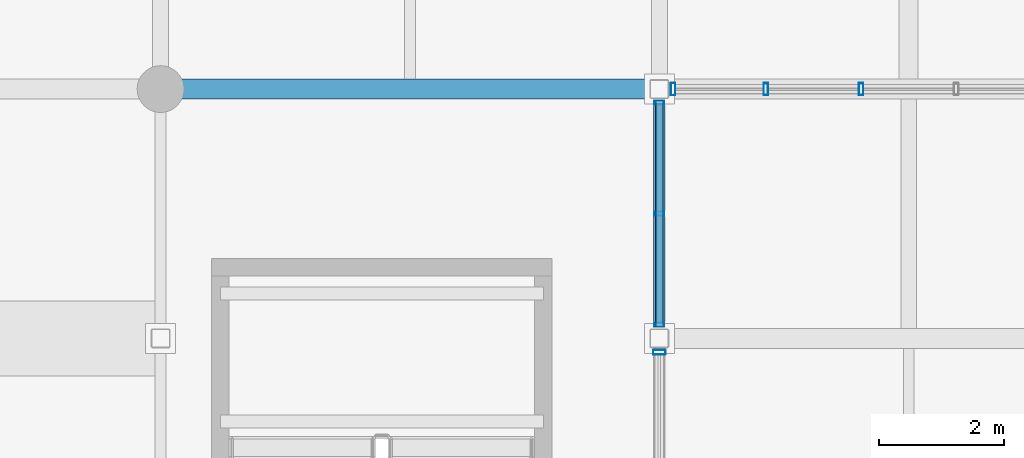
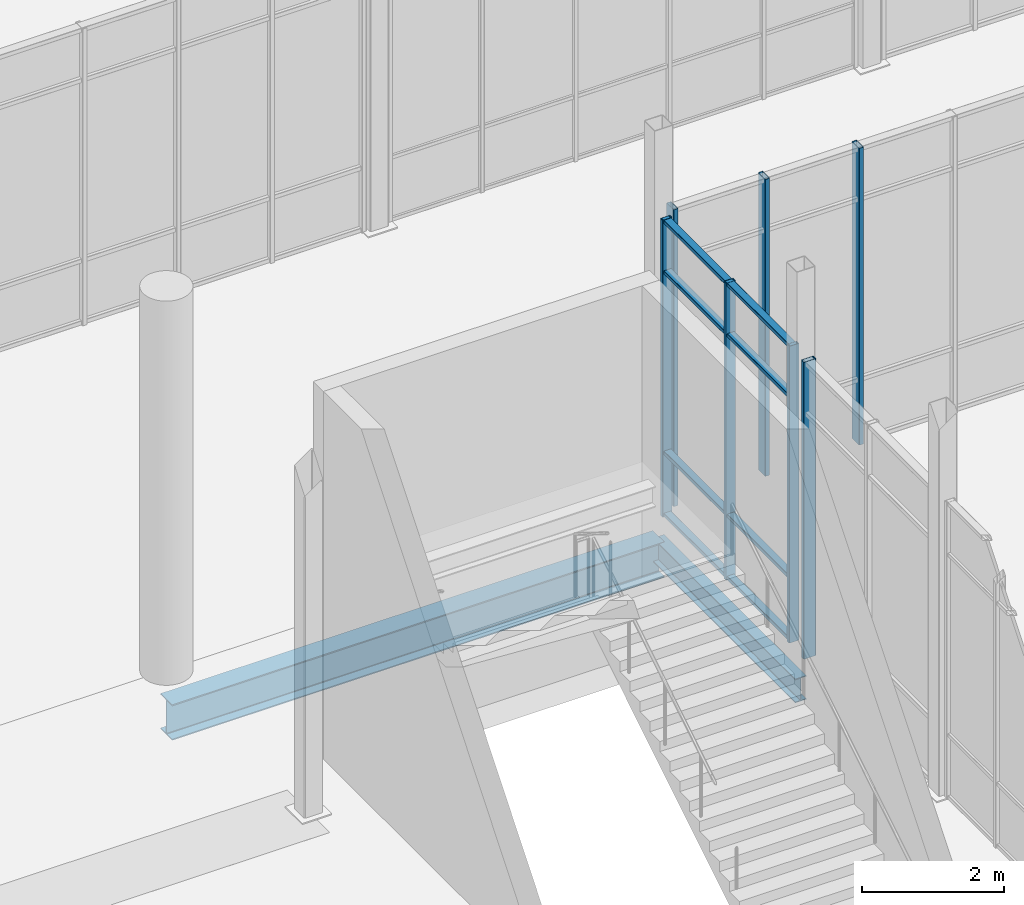
# One storey, part 46 of 140: 11 members, 2 beams, 3 elements without a shape of their own.
"""IFC4 building model written with IfcOpenShell, lengths in metres."""

from ifc_helpers import new_model, si_unit, direction, frame, origin, origin_2d, place, context, subcontext, project, spatial, hollow_rectangle, i_section, extrude, material, material_profile, profile_set, type_object, element, aggregate, save


model = new_model("IFC4")

# Units and contexts
model_context = context("Model", 3, precision=1e-05, world=origin(), true_north=direction((0.0, 1.0)))
body_context = subcontext(model_context, "Body", "Model", "MODEL_VIEW")
ifc_project = project(units=[si_unit("LENGTHUNIT", "METRE"), si_unit("AREAUNIT", "SQUARE_METRE"), si_unit("VOLUMEUNIT", "CUBIC_METRE"), si_unit("PLANEANGLEUNIT", "RADIAN"), si_unit("MASSUNIT", "GRAM", prefix="KILO")], contexts=[model_context])

# Site, building, storey
site_placement = place(None, origin())
site = spatial("IfcSite", under=ifc_project, at=site_placement, CompositionType="ELEMENT")
building_placement = place(site_placement, origin())
building = spatial("IfcBuilding", under=site, at=building_placement, Name="Verrall Gate Interchange", CompositionType="ELEMENT")
storey_placement = place(building_placement, origin())
storey = spatial("IfcBuildingStorey", under=building, at=storey_placement, Name="L01", CompositionType="ELEMENT", Elevation=0.0)

# Beams
ifc_material_1 = material(Name="Structural Steel CSA G40.21 350WT Cat 4", Category="steel")
ifc_material_profile_1 = material_profile(ifc_material_1, i_section(OverallWidth=0.323974609375, OverallDepth=0.611083984375, WebThickness=0.0126953125, FlangeThickness=0.01904296875, FilletRadius=0.014892578125, at=origin_2d()), Name="W610x155")
ifc_profile_set_1 = profile_set([ifc_material_profile_1], Name="Structural Steel CSA G40.21 350WT Cat 4")
beam_type_1 = type_object("IfcBeamType", Name="B-08 Structural Beam W610x155", PredefinedType="BEAM", material=ifc_profile_set_1)
beam_1_placement = place(storey_placement, frame((100.0, 48.0, -0.805419921875), z_axis=(1.0, 0.0, 0.0), x_axis=(0.0, 1.0, 0.0)))
element("IfcBeam", 1, at=beam_1_placement, inside=storey, type_object=beam_type_1, Name="L01 Girder BM-L01-0925 (B-08)", PredefinedType="BEAM", context=body_context, shape_type="SweptSolid", body=[
    extrude(i_section(OverallWidth=0.323974609375, OverallDepth=0.611083984375, WebThickness=0.0126953125, FlangeThickness=0.01904296875, FilletRadius=0.014892578125, at=origin_2d()), origin(), (0.0, 0.0, 1.0), 8.0),
])
ifc_material_2 = material(Name="Structural Steel CSA G40.21 350W", Category="steel")
ifc_material_profile_2 = material_profile(ifc_material_2, i_section(OverallWidth=0.178955078125, OverallDepth=0.409912109375, WebThickness=0.0087890625, FlangeThickness=0.014404296875, FilletRadius=0.011962890625, at=origin_2d()), Name="W410x67")
ifc_profile_set_2 = profile_set([ifc_material_profile_2], Name="Structural Steel CSA G40.21 350W")
beam_type_2 = type_object("IfcBeamType", Name="B-12 Structural Beam W410x67", PredefinedType="BEAM", material=ifc_profile_set_2)
beam_2_placement = place(storey_placement, frame((108.0, 44.0, -0.705078125), z_axis=(0.0, 1.0, 0.0), x_axis=(-1.0, 0.0, 0.0)))
element("IfcBeam", 2, at=beam_2_placement, inside=storey, type_object=beam_type_2, Name="L01 Girder BM-L01-1177 (B-12)", PredefinedType="BEAM", context=body_context, shape_type="SweptSolid", body=[
    extrude(i_section(OverallWidth=0.178955078125, OverallDepth=0.409912109375, WebThickness=0.0087890625, FlangeThickness=0.014404296875, FilletRadius=0.011962890625, at=origin_2d()), origin(), (0.0, 0.0, 1.0), 4.0),
])

# Curtain wall, members
ifc_material_3 = material(Name="Thermally Broken Anodized Aluminium Curtain Wall Framing", Category="aluminium")
curtain_wall_type_1 = type_object("IfcCurtainWallType", Name="CW-05 Unitized Curtain Wall 3631x5100", PredefinedType="NOTDEFINED", material=ifc_material_3)
curtain_wall_1_placement = place(storey_placement, origin())
curtain_wall_1 = element("IfcCurtainWall", 3, at=curtain_wall_1_placement, inside=storey, type_object=curtain_wall_type_1, Name="L01 Unitized Curtain Wall CW-L01-008", PredefinedType="NOTDEFINED")
ifc_material_4 = material(Name="Thermally Broken Anodized Aluminium Curtain Wall Framing", Category="aluminium")
ifc_material_profile_3 = material_profile(ifc_material_4, hollow_rectangle(XDim=0.06494140625, YDim=0.159912109375, WallThickness=0.00390625, InnerFilletRadius=0.00390625, OuterFilletRadius=0.008056640625, at=origin_2d()), Name="CWM160x65x4")
ifc_profile_set_3 = profile_set([ifc_material_profile_3], Name="Thermally Broken Anodized Aluminium Curtain Wall Framing")
member_type_1 = type_object("IfcMemberType", Name="CM-01 Curtain Mullion CWM160x65x4", PredefinedType="MULLION", material=ifc_profile_set_3)
member_1_placement = place(storey_placement, frame((108.0, 44.217041015625, 0.0), z_axis=(0.0, 0.0, 1.0), x_axis=(0.0, 1.0, 0.0)))
member_1 = element("IfcMember", 4, at=member_1_placement, type_object=member_type_1, Name="CW-L01-008 Mullion 1", PredefinedType="MULLION", context=body_context, shape_type="SweptSolid", body=[
    extrude(hollow_rectangle(XDim=0.06494140625, YDim=0.159912109375, WallThickness=0.00390625, InnerFilletRadius=0.00390625, OuterFilletRadius=0.008056640625, at=origin_2d()), origin(), (0.0, 0.0, 1.0), 5.10009765625),
])
member_2_placement = place(storey_placement, frame((108.0, 46.0, 0.0), z_axis=(0.0, 0.0, 1.0), x_axis=(0.0, 1.0, 0.0)))
member_2 = element("IfcMember", 5, at=member_2_placement, type_object=member_type_1, Name="CW-L01-008 Mullion 2", PredefinedType="MULLION", context=body_context, shape_type="SweptSolid", body=[
    extrude(hollow_rectangle(XDim=0.06494140625, YDim=0.159912109375, WallThickness=0.00390625, InnerFilletRadius=0.00390625, OuterFilletRadius=0.008056640625, at=origin_2d()), origin(), (0.0, 0.0, 1.0), 5.10009765625),
])
member_3_placement = place(storey_placement, frame((108.0, 47.782958984375, 0.0), z_axis=(0.0, 0.0, 1.0), x_axis=(0.0, 1.0, 0.0)))
member_3 = element("IfcMember", 6, at=member_3_placement, type_object=member_type_1, Name="CW-L01-008 Mullion 3", PredefinedType="MULLION", context=body_context, shape_type="SweptSolid", body=[
    extrude(hollow_rectangle(XDim=0.06494140625, YDim=0.159912109375, WallThickness=0.00390625, InnerFilletRadius=0.00390625, OuterFilletRadius=0.008056640625, at=origin_2d()), origin(), (0.0, 0.0, 1.0), 5.10009765625),
])

# Curtain wall, member
curtain_wall_2_placement = place(storey_placement, origin())
curtain_wall_2 = element("IfcCurtainWall", 7, at=curtain_wall_2_placement, inside=storey, type_object=curtain_wall_type_1, Name="L01 Unitized Curtain Wall CW-L01-007", PredefinedType="NOTDEFINED")
ifc_material_5 = material(Name="Thermally Broken Anodized Aluminium Curtain Wall Framing", Category="aluminium")
ifc_material_profile_4 = material_profile(ifc_material_5, hollow_rectangle(XDim=0.074951171875, YDim=0.199951171875, WallThickness=0.0048828125, InnerFilletRadius=0.0048828125, OuterFilletRadius=0.010009765625, at=origin_2d()), Name="CWM200x75x5")
ifc_profile_set_4 = profile_set([ifc_material_profile_4], Name="Thermally Broken Anodized Aluminium Curtain Wall Framing")
member_type_2 = type_object("IfcMemberType", Name="CM-02 Curtain Mullion CWM200x75x5", PredefinedType="MULLION", material=ifc_profile_set_4)
member_4_placement = place(storey_placement, frame((108.0, 43.778076171875, 0.0), z_axis=(0.0, 0.0, 1.0), x_axis=(0.0, 1.0, 0.0)))
member_4 = element("IfcMember", 8, at=member_4_placement, type_object=member_type_2, Name="CW-L01-007 Mullion 3", PredefinedType="MULLION", context=body_context, shape_type="SweptSolid", body=[
    extrude(hollow_rectangle(XDim=0.074951171875, YDim=0.199951171875, WallThickness=0.0048828125, InnerFilletRadius=0.0048828125, OuterFilletRadius=0.010009765625, at=origin_2d()), origin(), (0.0, 0.0, 1.0), 5.10009765625),
])
aggregate(curtain_wall_2, [member_4])

# Curtain wall, members
ifc_material_6 = material(Name="Thermally Broken Anodized Aluminium Curtain Wall Framing", Category="aluminium")
curtain_wall_type_2 = type_object("IfcCurtainWallType", Name="CW-06 Unitized Curtain Wall 7631x5100", PredefinedType="NOTDEFINED", material=ifc_material_6)
curtain_wall_3_placement = place(storey_placement, origin())
curtain_wall_3 = element("IfcCurtainWall", 9, at=curtain_wall_3_placement, inside=storey, type_object=curtain_wall_type_2, Name="L01 Unitized Curtain Wall CW-L01-009", PredefinedType="NOTDEFINED")
member_5_placement = place(storey_placement, frame((108.221923828125, 48.0, 0.0), z_axis=(0.0, 0.0, 1.0), x_axis=(1.0, 0.0, 0.0)))
member_5 = element("IfcMember", 10, at=member_5_placement, type_object=member_type_2, Name="CW-L01-009 Mullion 1", PredefinedType="MULLION", context=body_context, shape_type="SweptSolid", body=[
    extrude(hollow_rectangle(XDim=0.074951171875, YDim=0.199951171875, WallThickness=0.0048828125, InnerFilletRadius=0.0048828125, OuterFilletRadius=0.010009765625, at=origin_2d()), origin(), (0.0, 0.0, 1.0), 5.10009765625),
])
member_6_placement = place(storey_placement, frame((109.710693359375, 48.0, 0.0), z_axis=(0.0, 0.0, 1.0), x_axis=(1.0, 0.0, 0.0)))
member_6 = element("IfcMember", 11, at=member_6_placement, type_object=member_type_2, Name="CW-L01-009 Mullion 2", PredefinedType="MULLION", context=body_context, shape_type="SweptSolid", body=[
    extrude(hollow_rectangle(XDim=0.074951171875, YDim=0.199951171875, WallThickness=0.0048828125, InnerFilletRadius=0.0048828125, OuterFilletRadius=0.010009765625, at=origin_2d()), origin(), (0.0, 0.0, 1.0), 5.10009765625),
])
member_7_placement = place(storey_placement, frame((111.23681640625, 48.0, 0.0), z_axis=(0.0, 0.0, 1.0), x_axis=(1.0, 0.0, 0.0)))
member_7 = element("IfcMember", 12, at=member_7_placement, type_object=member_type_2, Name="CW-L01-009 Mullion 3", PredefinedType="MULLION", context=body_context, shape_type="SweptSolid", body=[
    extrude(hollow_rectangle(XDim=0.074951171875, YDim=0.199951171875, WallThickness=0.0048828125, InnerFilletRadius=0.0048828125, OuterFilletRadius=0.010009765625, at=origin_2d()), origin(), (0.0, 0.0, 1.0), 5.10009765625),
])
aggregate(curtain_wall_3, [member_5, member_6, member_7])

# Member
ifc_material_7 = material(Name="Thermally Broken Anodized Aluminium Curtain Wall Framing", Category="aluminium")
ifc_material_profile_5 = material_profile(ifc_material_7, hollow_rectangle(XDim=0.1201171875, YDim=0.06494140625, WallThickness=0.00390625, InnerFilletRadius=0.00390625, OuterFilletRadius=0.008056640625, at=origin_2d()), Name="CWT120x65x4")
ifc_profile_set_5 = profile_set([ifc_material_profile_5], Name="Thermally Broken Anodized Aluminium Curtain Wall Framing")
member_type_3 = type_object("IfcMemberType", Name="CT-01 Curtain Transom CWT120x65x4", PredefinedType="USERDEFINED", material=ifc_profile_set_5)
member_8_placement = place(storey_placement, frame((108.0, 44.1845703125, 0.032470703125), z_axis=(0.0, 1.0, 0.0), x_axis=(-1.0, 0.0, 0.0)))
member_8 = element("IfcMember", 13, at=member_8_placement, type_object=member_type_3, Name="CW-L01-008 Transom 1", ObjectType="TRANSOM", PredefinedType="USERDEFINED", context=body_context, shape_type="SweptSolid", body=[
    extrude(hollow_rectangle(XDim=0.1201171875, YDim=0.06494140625, WallThickness=0.00390625, InnerFilletRadius=0.00390625, OuterFilletRadius=0.008056640625, at=origin_2d()), origin(), (0.0, 0.0, 1.0), 3.630859375),
])

member_9_placement = place(storey_placement, frame((108.0, 44.1845703125, 1.10009765625), z_axis=(0.0, 1.0, 0.0), x_axis=(-1.0, 0.0, 0.0)))
member_9 = element("IfcMember", 14, at=member_9_placement, type_object=member_type_3, Name="CW-L01-008 Transom 2", ObjectType="TRANSOM", PredefinedType="USERDEFINED", context=body_context, shape_type="SweptSolid", body=[
    extrude(hollow_rectangle(XDim=0.1201171875, YDim=0.06494140625, WallThickness=0.00390625, InnerFilletRadius=0.00390625, OuterFilletRadius=0.008056640625, at=origin_2d()), origin(), (0.0, 0.0, 1.0), 3.630859375),
])

member_10_placement = place(storey_placement, frame((108.0, 44.1845703125, 4.199951171875), z_axis=(0.0, 1.0, 0.0), x_axis=(-1.0, 0.0, 0.0)))
member_10 = element("IfcMember", 15, at=member_10_placement, type_object=member_type_3, Name="CW-L01-008 Transom 3", ObjectType="TRANSOM", PredefinedType="USERDEFINED", context=body_context, shape_type="SweptSolid", body=[
    extrude(hollow_rectangle(XDim=0.1201171875, YDim=0.06494140625, WallThickness=0.00390625, InnerFilletRadius=0.00390625, OuterFilletRadius=0.008056640625, at=origin_2d()), origin(), (0.0, 0.0, 1.0), 3.630859375),
])

member_11_placement = place(storey_placement, frame((108.0, 44.1845703125, 5.0673828125), z_axis=(0.0, 1.0, 0.0), x_axis=(-1.0, 0.0, 0.0)))
member_11 = element("IfcMember", 16, at=member_11_placement, type_object=member_type_3, Name="CW-L01-008 Transom 4", ObjectType="TRANSOM", PredefinedType="USERDEFINED", context=body_context, shape_type="SweptSolid", body=[
    extrude(hollow_rectangle(XDim=0.1201171875, YDim=0.06494140625, WallThickness=0.00390625, InnerFilletRadius=0.00390625, OuterFilletRadius=0.008056640625, at=origin_2d()), origin(), (0.0, 0.0, 1.0), 3.630859375),
])

aggregate(curtain_wall_1, [member_1, member_2, member_3, member_8, member_9, member_10, member_11])

save(model, "model.ifc")
